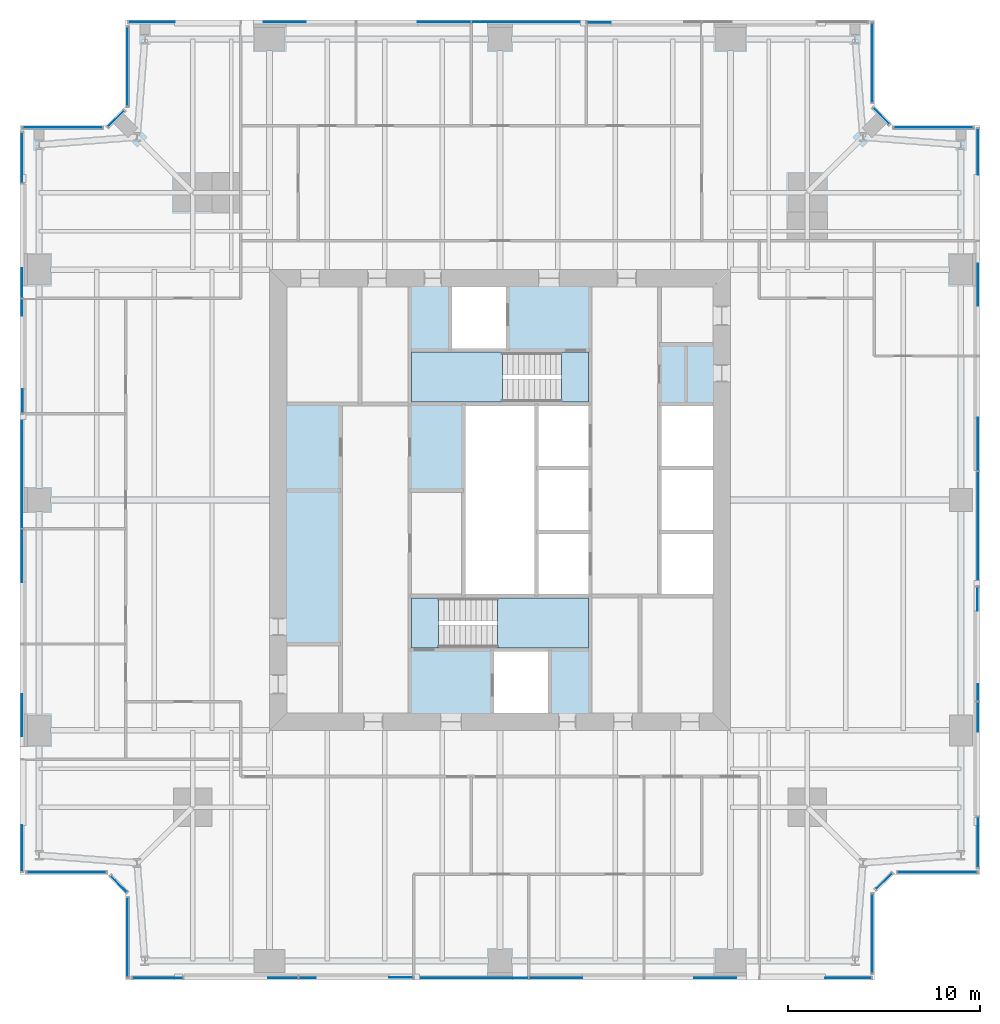
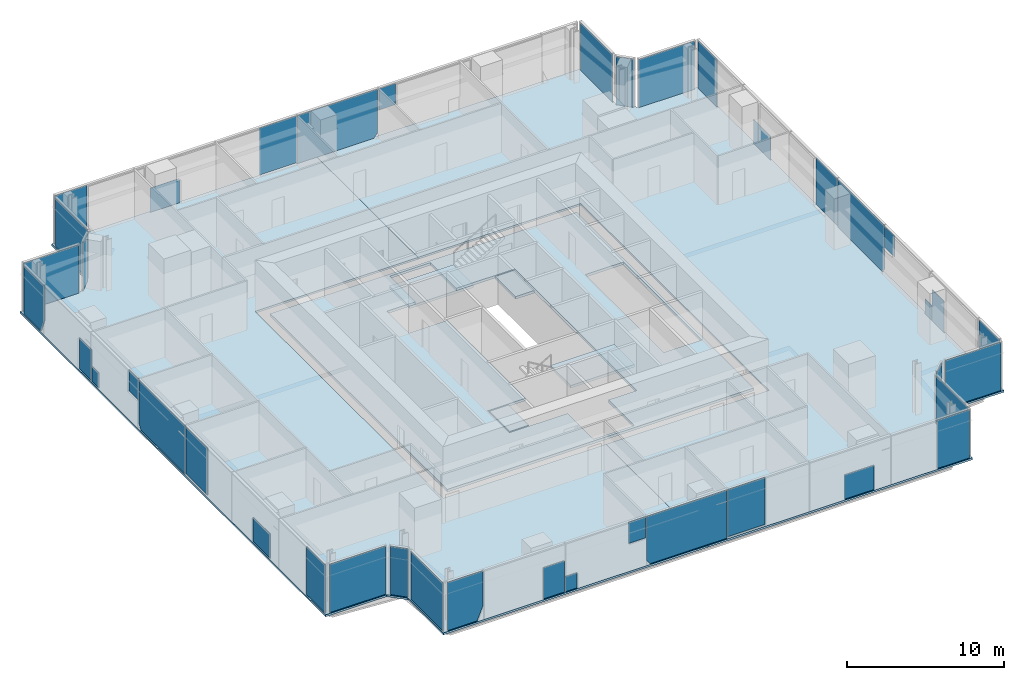
# One storey, part 8 of 14: 41 plates, 7 slabs, 18 elements without a shape of their own.
"""IFC4 building model written with IfcOpenShell, lengths in metres."""

import ifcopenshell
import ifcopenshell.guid

model = None  # the IFC model being written
_history = None  # IfcOwnerHistory: only IFC2X3 demands one
_inside = {}  # id of a spatial element -> (the spatial element, [elements in it])
_under = {}  # id of a project, library or spatial element -> (it, [spatial elements below it])
_declared = {}  # id of a project -> (the project, [libraries it declares])
_typed = {}  # id of a type object -> (the type object, [elements of that type])
_made_of = {}  # id of a material, layer set ... -> (it, [elements and type objects made of it])


def new_model(schema):
    """Start an empty IFC model of exactly this schema.

    Asked for "IFC4X3", IfcOpenShell would pick the latest addendum, in which some entities
    have other attributes; the version numbers below select the first issue.
    IFC2X3 requires an IfcOwnerHistory on every rooted entity: one is made here for all.
    """
    global model, _history
    if schema == "IFC4X3":
        model = ifcopenshell.file(schema_version=(4, 3, 0, 0))
    else:
        model = ifcopenshell.file(schema=schema)
    _inside.clear()
    _under.clear()
    _declared.clear()
    _typed.clear()
    _made_of.clear()
    _history = None
    if model.schema == "IFC2X3":
        org = make("IfcOrganization", Name="unknown")
        user = make(
            "IfcPersonAndOrganization",
            ThePerson=make("IfcPerson", FamilyName="unknown"),
            TheOrganization=org,
        )
        app = make(
            "IfcApplication",
            ApplicationDeveloper=org,
            Version="unknown",
            ApplicationFullName="unknown",
            ApplicationIdentifier="unknown",
        )
        _history = make(
            "IfcOwnerHistory",
            OwningUser=user,
            OwningApplication=app,
            ChangeAction="ADDED",
            CreationDate=0,
        )
    return model


def make(cls, **values):
    """One entity of the class cls with the attributes given. An attribute that is None is left unset."""
    return model.create_entity(
        cls, **{name: value for name, value in values.items() if value is not None}
    )


def rooted(cls, **values):
    """An entity with a GlobalId (a new one), such as an element, a storey or a relation."""
    return make(cls, GlobalId=ifcopenshell.guid.new(), OwnerHistory=_history, **values)


def si_unit(unit_type, name, prefix=None):
    """IfcSIUnit, for example si_unit("LENGTHUNIT", "METRE", prefix="MILLI")."""
    return make("IfcSIUnit", UnitType=unit_type, Prefix=prefix, Name=name)


def assignment(units):
    """IfcUnitAssignment: the units of a project."""
    return None if units is None else make("IfcUnitAssignment", Units=units)


def point(xyz):
    """IfcCartesianPoint."""
    return None if xyz is None else make("IfcCartesianPoint", Coordinates=xyz)


def direction(xyz):
    """IfcDirection."""
    return None if xyz is None else make("IfcDirection", DirectionRatios=xyz)


def frame(location, z_axis=None, x_axis=None):
    """IfcAxis2Placement3D, a coordinate frame: its origin and axes. An axis left out is left unset."""
    return make(
        "IfcAxis2Placement3D",
        Location=point(location),
        Axis=direction(z_axis),
        RefDirection=direction(x_axis),
    )


def frame_2d(location, x_axis=None):
    """IfcAxis2Placement2D, a coordinate frame in the plane: its origin and x axis."""
    return make(
        "IfcAxis2Placement2D", Location=point(location), RefDirection=direction(x_axis)
    )


def origin():
    """The frame at (0, 0, 0) with its axes left unset."""
    return frame((0.0, 0.0, 0.0))


def origin_2d():
    """The frame at (0, 0) in the plane with its x axis left unset."""
    return frame_2d((0.0, 0.0))


def place(relative_to, where):
    """IfcLocalPlacement: puts the frame where relative to a parent placement (None: the world)."""
    return make(
        "IfcLocalPlacement", PlacementRelTo=relative_to, RelativePlacement=where
    )


def context(
    kind, dimensions, precision=None, world=None, true_north=None, identifier=None
):
    """IfcGeometricRepresentationContext, for example the 3D "Model" context."""
    return make(
        "IfcGeometricRepresentationContext",
        ContextIdentifier=identifier,
        ContextType=kind,
        CoordinateSpaceDimension=dimensions,
        Precision=precision,
        WorldCoordinateSystem=world,
        TrueNorth=true_north,
    )


def subcontext(parent, identifier, kind, view, scale=None):
    """IfcGeometricRepresentationSubContext, for example "Body" below "Model"."""
    return make(
        "IfcGeometricRepresentationSubContext",
        ContextIdentifier=identifier,
        ContextType=kind,
        ParentContext=parent,
        TargetScale=scale,
        TargetView=view,
    )


def project(units=None, contexts=None):
    """IfcProject with its units and contexts."""
    return rooted(
        "IfcProject",
        Name="project",
        RepresentationContexts=contexts,
        UnitsInContext=assignment(units),
    )


def spatial(cls, under=None, at=None, **own):
    """A site, building, storey or space (cls), placed at a placement, below another one or the project."""
    s = rooted(cls, ObjectPlacement=at, **own)
    if under is not None:
        _under.setdefault(under.id(), (under, []))[1].append(s)
    return s


def polyline(points):
    """IfcPolyline through the points."""
    return make("IfcPolyline", Points=[point(p) for p in points])


def profile(cls, at=None, kind="AREA", **sizes):
    """A parametric profile (cls). Its sizes go by their IFC names, for example OverallWidth=200.0."""
    return make(cls, ProfileType=kind, Position=at, **sizes)


def rectangle(**sizes):
    """IfcRectangleProfileDef."""
    return profile("IfcRectangleProfileDef", **sizes)


def outline(outer, holes=None, kind="AREA"):
    """IfcArbitraryClosedProfileDef: a profile drawn as a closed curve; with holes, ...WithVoids."""
    if holes is None:
        return make("IfcArbitraryClosedProfileDef", ProfileType=kind, OuterCurve=outer)
    return make(
        "IfcArbitraryProfileDefWithVoids",
        ProfileType=kind,
        OuterCurve=outer,
        InnerCurves=holes,
    )


def extrude(swept, where, along, depth):
    """IfcExtrudedAreaSolid: the profile swept, set in the frame where, extruded along a direction by depth."""
    return make(
        "IfcExtrudedAreaSolid",
        SweptArea=swept,
        Position=where,
        ExtrudedDirection=direction(along),
        Depth=depth,
    )


def shape(context_of_items, identifier, shape_type, items):
    """IfcShapeRepresentation: the items that make up one representation, for example the "Body"."""
    return make(
        "IfcShapeRepresentation",
        ContextOfItems=context_of_items,
        RepresentationIdentifier=identifier,
        RepresentationType=shape_type,
        Items=items,
    )


def material(Name=None, Category=None):
    """IfcMaterial."""
    return make("IfcMaterial", Name=Name, Category=Category)


def layer(
    of_material, thickness, ventilated=None, Name=None, Category=None, Priority=None
):
    """IfcMaterialLayer: one layer of a wall or slab, of a material (None: an air gap)."""
    return make(
        "IfcMaterialLayer",
        Material=of_material,
        LayerThickness=thickness,
        IsVentilated=ventilated,
        Name=Name,
        Category=Category,
        Priority=Priority,
    )


def layer_set(layers, Name=None):
    """IfcMaterialLayerSet."""
    return make("IfcMaterialLayerSet", MaterialLayers=layers, LayerSetName=Name)


def made_of(thing, what):
    """Note that an element or type object is made of a material, layer set ...; save() writes the relation."""
    if what is not None:
        _made_of.setdefault(what.id(), (what, []))[1].append(thing)
    return thing


def type_object(cls, material=None, **own):
    """A type object (cls), such as IfcWallType, which elements share."""
    return made_of(rooted(cls, **own), material)


def element(
    cls,
    number,
    at=None,
    inside=None,
    cuts=None,
    type_object=None,
    material=None,
    context=None,
    identifier="Body",
    shape_type=None,
    held_by="IfcProductDefinitionShape",
    body=None,
    shapes=None,
    **own,
):
    """One element of the class cls, such as IfcWall. Its Tag is "e" and its number.

    at: its placement. inside: the storey or other place that contains it. cuts: it is an
    opening in that element (IfcRelVoidsElement). A single representation is given by context,
    identifier, shape_type and body (its items); several are given by shapes. held_by: the class
    of the entity that holds the representations. save() writes the other relations.
    """
    e = rooted(cls, Tag="e%d" % number, ObjectPlacement=at, **own)
    if body is not None:
        shapes = [shape(context, identifier, shape_type, body)]
    if shapes is not None:
        e.Representation = make(held_by, Representations=shapes)
    if inside is not None:
        _inside.setdefault(inside.id(), (inside, []))[1].append(e)
    if cuts is not None:
        rooted(
            "IfcRelVoidsElement", RelatingBuildingElement=cuts, RelatedOpeningElement=e
        )
    if type_object is not None:
        _typed.setdefault(type_object.id(), (type_object, []))[1].append(e)
    return made_of(e, material)


def aggregate(whole, parts):
    """IfcRelAggregates: a whole, such as a stair, and the parts it consists of."""
    return rooted("IfcRelAggregates", RelatingObject=whole, RelatedObjects=parts)


def save(model, path):
    """Write the relations noted so far, then the file.

    IfcRelAggregates (storeys below a building ...), IfcRelContainedInSpatialStructure (elements
    in a storey), IfcRelDefinesByType, IfcRelAssociatesMaterial and IfcRelDeclares: one each for
    every whole, place, type object, material and project.
    """
    for whole, parts in _under.values():
        aggregate(whole, parts)
    for where, things in _inside.values():
        rooted(
            "IfcRelContainedInSpatialStructure",
            RelatedElements=things,
            RelatingStructure=where,
        )
    for kind, things in _typed.values():
        rooted("IfcRelDefinesByType", RelatedObjects=things, RelatingType=kind)
    for what, things in _made_of.values():
        rooted("IfcRelAssociatesMaterial", RelatedObjects=things, RelatingMaterial=what)
    for by, libraries in _declared.values():
        rooted("IfcRelDeclares", RelatingContext=by, RelatedDefinitions=libraries)
    model.write(path)


model = new_model("IFC4")

# Units and contexts
model_context = context("Model", 3, precision=1e-05, world=origin(), true_north=direction((0.0, 1.0)))
body_context = subcontext(model_context, "Body", "Model", "MODEL_VIEW")
ifc_project = project(units=[si_unit("LENGTHUNIT", "METRE"), si_unit("AREAUNIT", "SQUARE_METRE"), si_unit("VOLUMEUNIT", "CUBIC_METRE"), si_unit("PLANEANGLEUNIT", "RADIAN"), si_unit("MASSUNIT", "GRAM", prefix="KILO")], contexts=[model_context])

# Site, building, storey
site_placement = place(None, origin())
site = spatial("IfcSite", under=ifc_project, at=site_placement, CompositionType="ELEMENT")
building_placement = place(site_placement, origin())
building = spatial("IfcBuilding", under=site, at=building_placement, Name="Fenwick Lantern Interchange", CompositionType="ELEMENT")
storey_placement = place(building_placement, frame((0.0, 0.0, 193.800048828125)))
storey = spatial("IfcBuildingStorey", under=building, at=storey_placement, Name="L45", CompositionType="ELEMENT", Elevation=193.800048828125)

# Slabs
ifc_material_1 = material(Name="Concrete f'c 35 MPa", Category="concrete")
ifc_layer_1 = layer(ifc_material_1, 0.199951171875)
ifc_layer_set_1 = layer_set([ifc_layer_1], Name="CORE FLOOR SLAB 200")
slab_type_1 = type_object("IfcSlabType", Name="CORE FLOOR SLAB 200", PredefinedType="FLOOR", material=ifc_layer_set_1)
slab_1_placement = place(storey_placement, frame((0.0, 0.0, -0.199951171875)))
element("IfcSlab", 1, at=slab_1_placement, inside=storey, type_object=slab_type_1, Name="L45/SLAB/CORE", PredefinedType="FLOOR", context=body_context, shape_type="SweptSolid", body=[
    extrude(outline(polyline([(13.699951171875, 36.300048828125), (36.300048828125, 36.300048828125), (36.300048828125, 13.699951171875), (13.699951171875, 13.699951171875), (13.699951171875, 36.300048828125)]), holes=[polyline([(24.60009765625, 13.89990234375), (27.60009765625, 13.89990234375), (27.60009765625, 17.199951171875), (29.699951171875, 17.199951171875), (29.699951171875, 20.0), (29.699951171875, 23.333251953125), (29.699951171875, 26.666748046875), (29.699951171875, 30.0), (29.699951171875, 32.800048828125), (25.39990234375, 32.800048828125), (25.39990234375, 36.10009765625), (22.39990234375, 36.10009765625), (22.39990234375, 32.800048828125), (20.300048828125, 32.800048828125), (20.300048828125, 30.0), (23.10009765625, 30.0), (23.10009765625, 20.0), (20.300048828125, 20.0), (20.300048828125, 17.199951171875), (24.60009765625, 17.199951171875), (24.60009765625, 13.89990234375)]), polyline([(33.300048828125, 23.333251953125), (33.300048828125, 20.0), (36.10009765625, 20.0), (36.10009765625, 23.333251953125), (36.10009765625, 26.666748046875), (36.10009765625, 30.0), (33.300048828125, 30.0), (33.300048828125, 26.666748046875), (33.300048828125, 23.333251953125)])]), origin(), (0.0, 0.0, 1.0), 0.199951171875),
])
ifc_material_2 = material(Name="Concrete f'c 35 MPa", Category="concrete")
ifc_layer_2 = layer(ifc_material_2, 0.14990234375)
ifc_layer_set_2 = layer_set([ifc_layer_2], Name="Concrete f'c 35 MPa")
slab_type_2 = type_object("IfcSlabType", Name="FLOOR SLAB 150", PredefinedType="FLOOR", material=ifc_layer_set_2)
slab_2_placement = place(storey_placement, frame((0.0, 0.0, -0.150146484375)))
element("IfcSlab", 2, at=slab_2_placement, inside=storey, type_object=slab_type_2, Name="L45/SLAB/FW", PredefinedType="FLOOR", context=body_context, shape_type="SweptSolid", body=[
    extrude(outline(polyline([(5.5, 0.0), (5.5, 4.5), (4.5, 5.5), (0.0, 5.5), (0.0, 44.5), (4.5, 44.5), (5.5, 45.5), (5.5, 50.0), (25.0, 50.0), (25.0, 37.0), (13.0, 37.0), (13.0, 13.0), (25.0, 13.0), (25.0, 0.0), (5.5, 0.0)])), origin(), (0.0, 0.0, 1.0), 0.150146484375),
])
slab_3_placement = place(storey_placement, frame((0.0, 0.0, -0.150146484375)))
element("IfcSlab", 3, at=slab_3_placement, inside=storey, type_object=slab_type_2, Name="L45/SLAB/FE", PredefinedType="FLOOR", context=body_context, shape_type="SweptSolid", body=[
    extrude(outline(polyline([(44.5, 50.0), (44.5, 45.5), (45.5, 44.5), (50.0, 44.5), (50.0, 5.5), (45.5, 5.5), (44.5, 4.5), (44.5, 0.0), (25.0, 0.0), (25.0, 13.0), (37.0, 13.0), (37.0, 37.0), (25.0, 37.0), (25.0, 50.0), (44.5, 50.0)])), origin(), (0.0, 0.0, 1.0), 0.150146484375),
])

# Curtain wall, plates
ifc_material_3 = material(Name="Aluminium curtain wall frame", Category="aluminium")
curtain_wall_type = type_object("IfcCurtainWallType", Name="OFFICE CURTAIN WALL", PredefinedType="USERDEFINED", material=ifc_material_3)
curtain_wall_1_placement = place(storey_placement, origin())
curtain_wall_1 = element("IfcCurtainWall", 4, at=curtain_wall_1_placement, inside=storey, type_object=curtain_wall_type, Name="Office curtain wall 01", ObjectType="OFFICE CURTAIN WALL", PredefinedType="USERDEFINED")
ifc_material_4 = material(Name="Vision glass, clear low-iron double glazed", Category="glass")
ifc_layer_3 = layer(ifc_material_4, 0.031982421875)
ifc_layer_set_3 = layer_set([ifc_layer_3], Name="OFFICE CURTAIN WALL PANEL 32")
plate_type = type_object("IfcPlateType", Name="OFFICE CURTAIN WALL PANEL 32", PredefinedType="CURTAIN_PANEL", material=ifc_layer_set_3)
plate_1_placement = place(storey_placement, frame((5.60009765625, 0.10009765625, 0.0), z_axis=(0.0, 0.0, 1.0), x_axis=(1.0, 0.0, 0.0)))
plate_1 = element("IfcPlate", 5, at=plate_1_placement, type_object=plate_type, Name="L45/CW/01/P00a", PredefinedType="CURTAIN_PANEL", context=body_context, shape_type="SweptSolid", body=[
    extrude(outline(polyline([(0.264892578125, 0.0), (2.453369140625, 0.0), (2.867431640625, 1.01953125), (2.867431640625, 3.75), (0.264892578125, 3.75), (0.264892578125, 0.0)])), frame((0.0, 0.01611328125, 0.0), z_axis=(0.0, -1.0, 0.0), x_axis=(1.0, 0.0, 0.0)), (0.0, 0.0, 1.0), 0.031982421875),
])
plate_2_placement = place(storey_placement, frame((5.60009765625, 0.10009765625, 0.0), z_axis=(0.0, 0.0, 1.0), x_axis=(1.0, 0.0, 0.0)))
plate_2 = element("IfcPlate", 6, at=plate_2_placement, type_object=plate_type, Name="L45/CW/01/P01a", PredefinedType="CURTAIN_PANEL", context=body_context, shape_type="SweptSolid", body=[
    extrude(outline(polyline([(7.3291015625, 0.0), (8.867431640625, 0.0), (8.867431640625, 2.436767578125), (7.3291015625, 2.436767578125), (7.3291015625, 0.0)])), frame((0.0, 0.01611328125, 0.0), z_axis=(0.0, -1.0, 0.0), x_axis=(1.0, 0.0, 0.0)), (0.0, 0.0, 1.0), 0.031982421875),
])
plate_3_placement = place(storey_placement, frame((5.60009765625, 0.10009765625, 0.0), z_axis=(0.0, 0.0, 1.0), x_axis=(1.0, 0.0, 0.0)))
plate_3 = element("IfcPlate", 7, at=plate_3_placement, type_object=plate_type, Name="L45/CW/01/P02a", PredefinedType="CURTAIN_PANEL", context=body_context, shape_type="SweptSolid", body=[
    extrude(outline(polyline([(8.9326171875, 0.0), (9.8125, 0.0), (9.8125, 1.17724609375), (8.9326171875, 1.17724609375), (8.9326171875, 0.0)])), frame((0.0, 0.01611328125, 0.0), z_axis=(0.0, -1.0, 0.0), x_axis=(1.0, 0.0, 0.0)), (0.0, 0.0, 1.0), 0.031982421875),
])
plate_4_placement = place(storey_placement, frame((5.60009765625, 0.10009765625, 2.0966796875), z_axis=(0.0, 0.0, 1.0), x_axis=(1.0, 0.0, 0.0)))
plate_4 = element("IfcPlate", 8, at=plate_4_placement, type_object=plate_type, Name="L45/CW/01/P02b", PredefinedType="CURTAIN_PANEL", context=body_context, shape_type="SweptSolid", body=[
    extrude(outline(polyline([(13.623046875, 0.0), (14.867431640625, 0.0), (14.867431640625, 1.6533203125), (13.623046875, 1.6533203125), (13.623046875, 0.0)])), frame((0.0, 0.0498046875, 0.0), z_axis=(0.0, -1.0, 0.0), x_axis=(1.0, 0.0, 0.0)), (0.0, 0.0, 1.0), 0.031982421875),
])
plate_5_placement = place(storey_placement, frame((5.60009765625, 0.10009765625, 0.0), z_axis=(0.0, 0.0, 1.0), x_axis=(1.0, 0.0, 0.0)))
plate_5 = element("IfcPlate", 9, at=plate_5_placement, type_object=plate_type, Name="L45/CW/01/P03a", PredefinedType="CURTAIN_PANEL", context=body_context, shape_type="SweptSolid", body=[
    extrude(outline(polyline([(15.195556640625, 0.0), (20.867431640625, 0.0), (20.867431640625, 3.75), (14.9326171875, 3.75), (14.9326171875, 0.3505859375), (15.195556640625, 0.0)])), frame((0.0, 0.01611328125, 0.0), z_axis=(0.0, -1.0, 0.0), x_axis=(1.0, 0.0, 0.0)), (0.0, 0.0, 1.0), 0.031982421875),
])
plate_6_placement = place(storey_placement, frame((5.60009765625, 0.10009765625, 0.090576171875), z_axis=(0.0, 0.0, 1.0), x_axis=(1.0, 0.0, 0.0)))
plate_6 = element("IfcPlate", 10, at=plate_6_placement, type_object=plate_type, Name="L45/CW/01/P04a", PredefinedType="CURTAIN_PANEL", context=body_context, shape_type="SweptSolid", body=[
    extrude(outline(polyline([(20.9326171875, 0.0), (23.672607421875, 0.0), (23.672607421875, 3.659423828125), (20.9326171875, 3.659423828125), (20.9326171875, 0.0)])), frame((0.0, 0.01611328125, 0.0), z_axis=(0.0, -1.0, 0.0), x_axis=(1.0, 0.0, 0.0)), (0.0, 0.0, 1.0), 0.031982421875),
])
plate_7_placement = place(storey_placement, frame((5.60009765625, 0.10009765625, 0.0), z_axis=(0.0, 0.0, 1.0), x_axis=(1.0, 0.0, 0.0)))
plate_7 = element("IfcPlate", 11, at=plate_7_placement, type_object=plate_type, Name="L45/CW/01/P05a", PredefinedType="CURTAIN_PANEL", context=body_context, shape_type="SweptSolid", body=[
    extrude(outline(polyline([(29.51953125, 0.0), (31.694580078125, 0.0), (31.694580078125, 1.886474609375), (29.51953125, 1.886474609375), (29.51953125, 0.0)])), frame((0.0, 0.01611328125, 0.0), z_axis=(0.0, -1.0, 0.0), x_axis=(1.0, 0.0, 0.0)), (0.0, 0.0, 1.0), 0.031982421875),
])
plate_8_placement = place(storey_placement, frame((5.60009765625, 0.10009765625, 0.0), z_axis=(0.0, 0.0, 1.0), x_axis=(1.0, 0.0, 0.0)))
plate_8 = element("IfcPlate", 12, at=plate_8_placement, type_object=plate_type, Name="L45/CW/01/P06a", PredefinedType="CURTAIN_PANEL", context=body_context, shape_type="SweptSolid", body=[
    extrude(outline(polyline([(36.34814453125, 0.0), (38.735107421875, 0.0), (38.735107421875, 3.75), (36.34814453125, 3.75), (36.34814453125, 0.0)])), frame((0.0, 0.01611328125, 0.0), z_axis=(0.0, -1.0, 0.0), x_axis=(1.0, 0.0, 0.0)), (0.0, 0.0, 1.0), 0.031982421875),
])
aggregate(curtain_wall_1, [plate_1, plate_2, plate_3, plate_4, plate_5, plate_6, plate_7, plate_8])

# Curtain wall, plate
curtain_wall_2_placement = place(storey_placement, origin())
curtain_wall_2 = element("IfcCurtainWall", 13, at=curtain_wall_2_placement, inside=storey, type_object=curtain_wall_type, Name="Office curtain wall 02", ObjectType="OFFICE CURTAIN WALL", PredefinedType="USERDEFINED")
plate_9_placement = place(storey_placement, frame((44.39990234375, 2.420654296875, 0.0), z_axis=(0.0, 0.0, 1.0), x_axis=(0.0, 1.0, 0.0)))
plate_9 = element("IfcPlate", 14, at=plate_9_placement, type_object=plate_type, Name="L45/CW/02/P00", PredefinedType="CURTAIN_PANEL", context=body_context, shape_type="SweptSolid", body=[
    extrude(rectangle(XDim=4.111328125, YDim=0.031982421875, at=origin_2d()), origin(), (0.0, 0.0, 1.0), 3.75),
])
aggregate(curtain_wall_2, [plate_9])

curtain_wall_3_placement = place(storey_placement, origin())
curtain_wall_3 = element("IfcCurtainWall", 15, at=curtain_wall_3_placement, inside=storey, type_object=curtain_wall_type, Name="Office curtain wall 03", ObjectType="OFFICE CURTAIN WALL", PredefinedType="USERDEFINED")
plate_10_placement = place(storey_placement, frame((45.0, 5.141357421875, 0.0), z_axis=(0.0, 0.0, 1.0), x_axis=(0.707106781187, 0.707106781187, 0.0)))
plate_10 = element("IfcPlate", 16, at=plate_10_placement, type_object=plate_type, Name="L45/CW/03/P00", PredefinedType="CURTAIN_PANEL", context=body_context, shape_type="SweptSolid", body=[
    extrude(rectangle(XDim=1.1669921875, YDim=0.031982421875, at=origin_2d()), origin(), (0.0, 0.0, 1.0), 3.75),
])
aggregate(curtain_wall_3, [plate_10])

curtain_wall_4_placement = place(storey_placement, origin())
curtain_wall_4 = element("IfcCurtainWall", 17, at=curtain_wall_4_placement, inside=storey, type_object=curtain_wall_type, Name="Office curtain wall 04", ObjectType="OFFICE CURTAIN WALL", PredefinedType="USERDEFINED")
plate_11_placement = place(storey_placement, frame((47.779296875, 5.60009765625, 0.0), z_axis=(0.0, 0.0, 1.0), x_axis=(1.0, 0.0, 0.0)))
plate_11 = element("IfcPlate", 18, at=plate_11_placement, type_object=plate_type, Name="L45/CW/04/P00", PredefinedType="CURTAIN_PANEL", context=body_context, shape_type="SweptSolid", body=[
    extrude(rectangle(XDim=4.111328125, YDim=0.031982421875, at=origin_2d()), origin(), (0.0, 0.0, 1.0), 3.75),
])
aggregate(curtain_wall_4, [plate_11])

# Curtain wall, plates
curtain_wall_5_placement = place(storey_placement, origin())
curtain_wall_5 = element("IfcCurtainWall", 19, at=curtain_wall_5_placement, inside=storey, type_object=curtain_wall_type, Name="Office curtain wall 05", ObjectType="OFFICE CURTAIN WALL", PredefinedType="USERDEFINED")
plate_12_placement = place(storey_placement, frame((49.89990234375, 5.60009765625, 0.0), z_axis=(0.0, 0.0, 1.0), x_axis=(0.0, 1.0, 0.0)))
plate_12 = element("IfcPlate", 20, at=plate_12_placement, type_object=plate_type, Name="L45/CW/05/P00a", PredefinedType="CURTAIN_PANEL", context=body_context, shape_type="SweptSolid", body=[
    extrude(outline(polyline([(0.264892578125, 0.0), (2.453369140625, 0.0), (2.867431640625, 1.01953125), (2.867431640625, 3.75), (0.264892578125, 3.75), (0.264892578125, 0.0)])), frame((0.0, 0.01611328125, 0.0), z_axis=(0.0, -1.0, 0.0), x_axis=(1.0, 0.0, 0.0)), (0.0, 0.0, 1.0), 0.031982421875),
])
plate_13_placement = place(storey_placement, frame((49.89990234375, 5.60009765625, 0.0), z_axis=(0.0, 0.0, 1.0), x_axis=(0.0, 1.0, 0.0)))
plate_13 = element("IfcPlate", 21, at=plate_13_placement, type_object=plate_type, Name="L45/CW/05/P01a", PredefinedType="CURTAIN_PANEL", context=body_context, shape_type="SweptSolid", body=[
    extrude(outline(polyline([(7.3291015625, 0.0), (8.867431640625, 0.0), (8.867431640625, 2.436767578125), (7.3291015625, 2.436767578125), (7.3291015625, 0.0)])), frame((0.0, 0.01611328125, 0.0), z_axis=(0.0, -1.0, 0.0), x_axis=(1.0, 0.0, 0.0)), (0.0, 0.0, 1.0), 0.031982421875),
])
plate_14_placement = place(storey_placement, frame((49.89990234375, 5.60009765625, 0.0), z_axis=(0.0, 0.0, 1.0), x_axis=(0.0, 1.0, 0.0)))
plate_14 = element("IfcPlate", 22, at=plate_14_placement, type_object=plate_type, Name="L45/CW/05/P02a", PredefinedType="CURTAIN_PANEL", context=body_context, shape_type="SweptSolid", body=[
    extrude(outline(polyline([(8.9326171875, 0.0), (9.8125, 0.0), (9.8125, 1.17724609375), (8.9326171875, 1.17724609375), (8.9326171875, 0.0)])), frame((0.0, 0.01611328125, 0.0), z_axis=(0.0, -1.0, 0.0), x_axis=(1.0, 0.0, 0.0)), (0.0, 0.0, 1.0), 0.031982421875),
])
plate_15_placement = place(storey_placement, frame((49.89990234375, 5.60009765625, 2.0966796875), z_axis=(0.0, 0.0, 1.0), x_axis=(0.0, 1.0, 0.0)))
plate_15 = element("IfcPlate", 23, at=plate_15_placement, type_object=plate_type, Name="L45/CW/05/P02b", PredefinedType="CURTAIN_PANEL", context=body_context, shape_type="SweptSolid", body=[
    extrude(outline(polyline([(13.623046875, 0.0), (14.867431640625, 0.0), (14.867431640625, 1.6533203125), (13.623046875, 1.6533203125), (13.623046875, 0.0)])), frame((0.0, 0.0498046875, 0.0), z_axis=(0.0, -1.0, 0.0), x_axis=(1.0, 0.0, 0.0)), (0.0, 0.0, 1.0), 0.031982421875),
])
plate_16_placement = place(storey_placement, frame((49.89990234375, 5.60009765625, 0.0), z_axis=(0.0, 0.0, 1.0), x_axis=(0.0, 1.0, 0.0)))
plate_16 = element("IfcPlate", 24, at=plate_16_placement, type_object=plate_type, Name="L45/CW/05/P03a", PredefinedType="CURTAIN_PANEL", context=body_context, shape_type="SweptSolid", body=[
    extrude(outline(polyline([(15.195556640625, 0.0), (20.867431640625, 0.0), (20.867431640625, 3.75), (14.9326171875, 3.75), (14.9326171875, 0.3505859375), (15.195556640625, 0.0)])), frame((0.0, 0.01611328125, 0.0), z_axis=(0.0, -1.0, 0.0), x_axis=(1.0, 0.0, 0.0)), (0.0, 0.0, 1.0), 0.031982421875),
])
plate_17_placement = place(storey_placement, frame((49.89990234375, 5.60009765625, 0.090576171875), z_axis=(0.0, 0.0, 1.0), x_axis=(0.0, 1.0, 0.0)))
plate_17 = element("IfcPlate", 25, at=plate_17_placement, type_object=plate_type, Name="L45/CW/05/P04a", PredefinedType="CURTAIN_PANEL", context=body_context, shape_type="SweptSolid", body=[
    extrude(outline(polyline([(20.9326171875, 0.0), (23.672607421875, 0.0), (23.672607421875, 3.659423828125), (20.9326171875, 3.659423828125), (20.9326171875, 0.0)])), frame((0.0, 0.01611328125, 0.0), z_axis=(0.0, -1.0, 0.0), x_axis=(1.0, 0.0, 0.0)), (0.0, 0.0, 1.0), 0.031982421875),
])
plate_18_placement = place(storey_placement, frame((49.89990234375, 5.60009765625, 0.0), z_axis=(0.0, 0.0, 1.0), x_axis=(0.0, 1.0, 0.0)))
plate_18 = element("IfcPlate", 26, at=plate_18_placement, type_object=plate_type, Name="L45/CW/05/P05a", PredefinedType="CURTAIN_PANEL", context=body_context, shape_type="SweptSolid", body=[
    extrude(outline(polyline([(29.51953125, 0.0), (31.694580078125, 0.0), (31.694580078125, 1.886474609375), (29.51953125, 1.886474609375), (29.51953125, 0.0)])), frame((0.0, 0.01611328125, 0.0), z_axis=(0.0, -1.0, 0.0), x_axis=(1.0, 0.0, 0.0)), (0.0, 0.0, 1.0), 0.031982421875),
])
plate_19_placement = place(storey_placement, frame((49.89990234375, 5.60009765625, 0.0), z_axis=(0.0, 0.0, 1.0), x_axis=(0.0, 1.0, 0.0)))
plate_19 = element("IfcPlate", 27, at=plate_19_placement, type_object=plate_type, Name="L45/CW/05/P06a", PredefinedType="CURTAIN_PANEL", context=body_context, shape_type="SweptSolid", body=[
    extrude(outline(polyline([(36.34814453125, 0.0), (38.735107421875, 0.0), (38.735107421875, 3.75), (36.34814453125, 3.75), (36.34814453125, 0.0)])), frame((0.0, 0.01611328125, 0.0), z_axis=(0.0, -1.0, 0.0), x_axis=(1.0, 0.0, 0.0)), (0.0, 0.0, 1.0), 0.031982421875),
])
aggregate(curtain_wall_5, [plate_12, plate_13, plate_14, plate_15, plate_16, plate_17, plate_18, plate_19])

# Curtain wall, plate
curtain_wall_6_placement = place(storey_placement, origin())
curtain_wall_6 = element("IfcCurtainWall", 28, at=curtain_wall_6_placement, inside=storey, type_object=curtain_wall_type, Name="Office curtain wall 06", ObjectType="OFFICE CURTAIN WALL", PredefinedType="USERDEFINED")
plate_20_placement = place(storey_placement, frame((47.579345703125, 44.39990234375, 0.0), z_axis=(0.0, 0.0, 1.0), x_axis=(-1.0, 0.0, 0.0)))
plate_20 = element("IfcPlate", 29, at=plate_20_placement, type_object=plate_type, Name="L45/CW/06/P00", PredefinedType="CURTAIN_PANEL", context=body_context, shape_type="SweptSolid", body=[
    extrude(rectangle(XDim=4.111328125, YDim=0.031982421875, at=origin_2d()), origin(), (0.0, 0.0, 1.0), 3.75),
])
aggregate(curtain_wall_6, [plate_20])

curtain_wall_7_placement = place(storey_placement, origin())
curtain_wall_7 = element("IfcCurtainWall", 30, at=curtain_wall_7_placement, inside=storey, type_object=curtain_wall_type, Name="Office curtain wall 07", ObjectType="OFFICE CURTAIN WALL", PredefinedType="USERDEFINED")
plate_21_placement = place(storey_placement, frame((44.858642578125, 45.0, 0.0), z_axis=(0.0, 0.0, 1.0), x_axis=(-0.707106781187, 0.707106781187, 0.0)))
plate_21 = element("IfcPlate", 31, at=plate_21_placement, type_object=plate_type, Name="L45/CW/07/P00", PredefinedType="CURTAIN_PANEL", context=body_context, shape_type="SweptSolid", body=[
    extrude(rectangle(XDim=1.1669921875, YDim=0.031982421875, at=origin_2d()), origin(), (0.0, 0.0, 1.0), 3.75),
])
aggregate(curtain_wall_7, [plate_21])

curtain_wall_8_placement = place(storey_placement, origin())
curtain_wall_8 = element("IfcCurtainWall", 32, at=curtain_wall_8_placement, inside=storey, type_object=curtain_wall_type, Name="Office curtain wall 08", ObjectType="OFFICE CURTAIN WALL", PredefinedType="USERDEFINED")
plate_22_placement = place(storey_placement, frame((44.39990234375, 47.779296875, 0.0), z_axis=(0.0, 0.0, 1.0), x_axis=(0.0, 1.0, 0.0)))
plate_22 = element("IfcPlate", 33, at=plate_22_placement, type_object=plate_type, Name="L45/CW/08/P00", PredefinedType="CURTAIN_PANEL", context=body_context, shape_type="SweptSolid", body=[
    extrude(rectangle(XDim=4.111328125, YDim=0.031982421875, at=origin_2d()), origin(), (0.0, 0.0, 1.0), 3.75),
])
aggregate(curtain_wall_8, [plate_22])

# Curtain wall, plates
curtain_wall_9_placement = place(storey_placement, origin())
curtain_wall_9 = element("IfcCurtainWall", 34, at=curtain_wall_9_placement, inside=storey, type_object=curtain_wall_type, Name="Office curtain wall 09", ObjectType="OFFICE CURTAIN WALL", PredefinedType="USERDEFINED")
plate_23_placement = place(storey_placement, frame((44.39990234375, 49.89990234375, 2.0966796875), z_axis=(0.0, 0.0, 1.0), x_axis=(-1.0, 0.0, 0.0)))
plate_23 = element("IfcPlate", 35, at=plate_23_placement, type_object=plate_type, Name="L45/CW/09/P02b", PredefinedType="CURTAIN_PANEL", context=body_context, shape_type="SweptSolid", body=[
    extrude(outline(polyline([(13.623046875, 0.0), (14.867431640625, 0.0), (14.867431640625, 1.6533203125), (13.623046875, 1.6533203125), (13.623046875, 0.0)])), frame((0.0, 0.0498046875, 0.0), z_axis=(0.0, -1.0, 0.0), x_axis=(1.0, 0.0, 0.0)), (0.0, 0.0, 1.0), 0.031982421875),
])
plate_24_placement = place(storey_placement, frame((44.39990234375, 49.89990234375, 0.0), z_axis=(0.0, 0.0, 1.0), x_axis=(-1.0, 0.0, 0.0)))
plate_24 = element("IfcPlate", 36, at=plate_24_placement, type_object=plate_type, Name="L45/CW/09/P03a", PredefinedType="CURTAIN_PANEL", context=body_context, shape_type="SweptSolid", body=[
    extrude(outline(polyline([(15.195556640625, 0.0), (20.867431640625, 0.0), (20.867431640625, 3.75), (14.9326171875, 3.75), (14.9326171875, 0.3505859375), (15.195556640625, 0.0)])), frame((0.0, 0.01611328125, 0.0), z_axis=(0.0, -1.0, 0.0), x_axis=(1.0, 0.0, 0.0)), (0.0, 0.0, 1.0), 0.031982421875),
])
plate_25_placement = place(storey_placement, frame((44.39990234375, 49.89990234375, 0.090576171875), z_axis=(0.0, 0.0, 1.0), x_axis=(-1.0, 0.0, 0.0)))
plate_25 = element("IfcPlate", 37, at=plate_25_placement, type_object=plate_type, Name="L45/CW/09/P04a", PredefinedType="CURTAIN_PANEL", context=body_context, shape_type="SweptSolid", body=[
    extrude(outline(polyline([(20.9326171875, 0.0), (23.672607421875, 0.0), (23.672607421875, 3.659423828125), (20.9326171875, 3.659423828125), (20.9326171875, 0.0)])), frame((0.0, 0.01611328125, 0.0), z_axis=(0.0, -1.0, 0.0), x_axis=(1.0, 0.0, 0.0)), (0.0, 0.0, 1.0), 0.031982421875),
])
plate_26_placement = place(storey_placement, frame((44.39990234375, 49.89990234375, 0.0), z_axis=(0.0, 0.0, 1.0), x_axis=(-1.0, 0.0, 0.0)))
plate_26 = element("IfcPlate", 38, at=plate_26_placement, type_object=plate_type, Name="L45/CW/09/P05a", PredefinedType="CURTAIN_PANEL", context=body_context, shape_type="SweptSolid", body=[
    extrude(outline(polyline([(29.51953125, 0.0), (31.694580078125, 0.0), (31.694580078125, 1.886474609375), (29.51953125, 1.886474609375), (29.51953125, 0.0)])), frame((0.0, 0.01611328125, 0.0), z_axis=(0.0, -1.0, 0.0), x_axis=(1.0, 0.0, 0.0)), (0.0, 0.0, 1.0), 0.031982421875),
])
plate_27_placement = place(storey_placement, frame((44.39990234375, 49.89990234375, 0.0), z_axis=(0.0, 0.0, 1.0), x_axis=(-1.0, 0.0, 0.0)))
plate_27 = element("IfcPlate", 39, at=plate_27_placement, type_object=plate_type, Name="L45/CW/09/P06a", PredefinedType="CURTAIN_PANEL", context=body_context, shape_type="SweptSolid", body=[
    extrude(outline(polyline([(36.34814453125, 0.0), (38.735107421875, 0.0), (38.735107421875, 3.75), (36.34814453125, 3.75), (36.34814453125, 0.0)])), frame((0.0, 0.01611328125, 0.0), z_axis=(0.0, -1.0, 0.0), x_axis=(1.0, 0.0, 0.0)), (0.0, 0.0, 1.0), 0.031982421875),
])
aggregate(curtain_wall_9, [plate_23, plate_24, plate_25, plate_26, plate_27])

# Curtain wall, plate
curtain_wall_10_placement = place(storey_placement, origin())
curtain_wall_10 = element("IfcCurtainWall", 40, at=curtain_wall_10_placement, inside=storey, type_object=curtain_wall_type, Name="Office curtain wall 10", ObjectType="OFFICE CURTAIN WALL", PredefinedType="USERDEFINED")
plate_28_placement = place(storey_placement, frame((5.60009765625, 47.579345703125, 0.0), z_axis=(0.0, 0.0, 1.0), x_axis=(0.0, -1.0, 0.0)))
plate_28 = element("IfcPlate", 41, at=plate_28_placement, type_object=plate_type, Name="L45/CW/10/P00", PredefinedType="CURTAIN_PANEL", context=body_context, shape_type="SweptSolid", body=[
    extrude(rectangle(XDim=4.111328125, YDim=0.031982421875, at=origin_2d()), origin(), (0.0, 0.0, 1.0), 3.75),
])
aggregate(curtain_wall_10, [plate_28])

curtain_wall_11_placement = place(storey_placement, origin())
curtain_wall_11 = element("IfcCurtainWall", 42, at=curtain_wall_11_placement, inside=storey, type_object=curtain_wall_type, Name="Office curtain wall 11", ObjectType="OFFICE CURTAIN WALL", PredefinedType="USERDEFINED")
plate_29_placement = place(storey_placement, frame((5.0, 44.858642578125, 0.0), z_axis=(0.0, 0.0, 1.0), x_axis=(-0.707106781187, -0.707106781187, 0.0)))
plate_29 = element("IfcPlate", 43, at=plate_29_placement, type_object=plate_type, Name="L45/CW/11/P00", PredefinedType="CURTAIN_PANEL", context=body_context, shape_type="SweptSolid", body=[
    extrude(rectangle(XDim=1.1669921875, YDim=0.031982421875, at=origin_2d()), origin(), (0.0, 0.0, 1.0), 3.75),
])
aggregate(curtain_wall_11, [plate_29])

curtain_wall_12_placement = place(storey_placement, origin())
curtain_wall_12 = element("IfcCurtainWall", 44, at=curtain_wall_12_placement, inside=storey, type_object=curtain_wall_type, Name="Office curtain wall 12", ObjectType="OFFICE CURTAIN WALL", PredefinedType="USERDEFINED")
plate_30_placement = place(storey_placement, frame((2.220703125, 44.39990234375, 0.0), z_axis=(0.0, 0.0, 1.0), x_axis=(-1.0, 0.0, 0.0)))
plate_30 = element("IfcPlate", 45, at=plate_30_placement, type_object=plate_type, Name="L45/CW/12/P00", PredefinedType="CURTAIN_PANEL", context=body_context, shape_type="SweptSolid", body=[
    extrude(rectangle(XDim=4.111328125, YDim=0.031982421875, at=origin_2d()), origin(), (0.0, 0.0, 1.0), 3.75),
])
aggregate(curtain_wall_12, [plate_30])

# Curtain wall, plates
curtain_wall_13_placement = place(storey_placement, origin())
curtain_wall_13 = element("IfcCurtainWall", 46, at=curtain_wall_13_placement, inside=storey, type_object=curtain_wall_type, Name="Office curtain wall 13", ObjectType="OFFICE CURTAIN WALL", PredefinedType="USERDEFINED")
plate_31_placement = place(storey_placement, frame((0.10009765625, 44.39990234375, 0.0), z_axis=(0.0, 0.0, 1.0), x_axis=(0.0, -1.0, 0.0)))
plate_31 = element("IfcPlate", 47, at=plate_31_placement, type_object=plate_type, Name="L45/CW/13/P00a", PredefinedType="CURTAIN_PANEL", context=body_context, shape_type="SweptSolid", body=[
    extrude(outline(polyline([(0.264892578125, 0.0), (2.453369140625, 0.0), (2.867431640625, 1.01953125), (2.867431640625, 3.75), (0.264892578125, 3.75), (0.264892578125, 0.0)])), frame((0.0, 0.01611328125, 0.0), z_axis=(0.0, -1.0, 0.0), x_axis=(1.0, 0.0, 0.0)), (0.0, 0.0, 1.0), 0.031982421875),
])
plate_32_placement = place(storey_placement, frame((0.10009765625, 44.39990234375, 0.0), z_axis=(0.0, 0.0, 1.0), x_axis=(0.0, -1.0, 0.0)))
plate_32 = element("IfcPlate", 48, at=plate_32_placement, type_object=plate_type, Name="L45/CW/13/P01a", PredefinedType="CURTAIN_PANEL", context=body_context, shape_type="SweptSolid", body=[
    extrude(outline(polyline([(7.3291015625, 0.0), (8.867431640625, 0.0), (8.867431640625, 2.436767578125), (7.3291015625, 2.436767578125), (7.3291015625, 0.0)])), frame((0.0, 0.01611328125, 0.0), z_axis=(0.0, -1.0, 0.0), x_axis=(1.0, 0.0, 0.0)), (0.0, 0.0, 1.0), 0.031982421875),
])
plate_33_placement = place(storey_placement, frame((0.10009765625, 44.39990234375, 0.0), z_axis=(0.0, 0.0, 1.0), x_axis=(0.0, -1.0, 0.0)))
plate_33 = element("IfcPlate", 49, at=plate_33_placement, type_object=plate_type, Name="L45/CW/13/P02a", PredefinedType="CURTAIN_PANEL", context=body_context, shape_type="SweptSolid", body=[
    extrude(outline(polyline([(8.9326171875, 0.0), (9.8125, 0.0), (9.8125, 1.17724609375), (8.9326171875, 1.17724609375), (8.9326171875, 0.0)])), frame((0.0, 0.01611328125, 0.0), z_axis=(0.0, -1.0, 0.0), x_axis=(1.0, 0.0, 0.0)), (0.0, 0.0, 1.0), 0.031982421875),
])
plate_34_placement = place(storey_placement, frame((0.10009765625, 44.39990234375, 2.0966796875), z_axis=(0.0, 0.0, 1.0), x_axis=(0.0, -1.0, 0.0)))
plate_34 = element("IfcPlate", 50, at=plate_34_placement, type_object=plate_type, Name="L45/CW/13/P02b", PredefinedType="CURTAIN_PANEL", context=body_context, shape_type="SweptSolid", body=[
    extrude(outline(polyline([(13.623046875, 0.0), (14.867431640625, 0.0), (14.867431640625, 1.6533203125), (13.623046875, 1.6533203125), (13.623046875, 0.0)])), frame((0.0, 0.0498046875, 0.0), z_axis=(0.0, -1.0, 0.0), x_axis=(1.0, 0.0, 0.0)), (0.0, 0.0, 1.0), 0.031982421875),
])
plate_35_placement = place(storey_placement, frame((0.10009765625, 44.39990234375, 0.0), z_axis=(0.0, 0.0, 1.0), x_axis=(0.0, -1.0, 0.0)))
plate_35 = element("IfcPlate", 51, at=plate_35_placement, type_object=plate_type, Name="L45/CW/13/P03a", PredefinedType="CURTAIN_PANEL", context=body_context, shape_type="SweptSolid", body=[
    extrude(outline(polyline([(15.195556640625, 0.0), (20.867431640625, 0.0), (20.867431640625, 3.75), (14.9326171875, 3.75), (14.9326171875, 0.3505859375), (15.195556640625, 0.0)])), frame((0.0, 0.01611328125, 0.0), z_axis=(0.0, -1.0, 0.0), x_axis=(1.0, 0.0, 0.0)), (0.0, 0.0, 1.0), 0.031982421875),
])
plate_36_placement = place(storey_placement, frame((0.10009765625, 44.39990234375, 0.090576171875), z_axis=(0.0, 0.0, 1.0), x_axis=(0.0, -1.0, 0.0)))
plate_36 = element("IfcPlate", 52, at=plate_36_placement, type_object=plate_type, Name="L45/CW/13/P04a", PredefinedType="CURTAIN_PANEL", context=body_context, shape_type="SweptSolid", body=[
    extrude(outline(polyline([(20.9326171875, 0.0), (23.672607421875, 0.0), (23.672607421875, 3.659423828125), (20.9326171875, 3.659423828125), (20.9326171875, 0.0)])), frame((0.0, 0.01611328125, 0.0), z_axis=(0.0, -1.0, 0.0), x_axis=(1.0, 0.0, 0.0)), (0.0, 0.0, 1.0), 0.031982421875),
])
plate_37_placement = place(storey_placement, frame((0.10009765625, 44.39990234375, 0.0), z_axis=(0.0, 0.0, 1.0), x_axis=(0.0, -1.0, 0.0)))
plate_37 = element("IfcPlate", 53, at=plate_37_placement, type_object=plate_type, Name="L45/CW/13/P05a", PredefinedType="CURTAIN_PANEL", context=body_context, shape_type="SweptSolid", body=[
    extrude(outline(polyline([(29.51953125, 0.0), (31.694580078125, 0.0), (31.694580078125, 1.886474609375), (29.51953125, 1.886474609375), (29.51953125, 0.0)])), frame((0.0, 0.01611328125, 0.0), z_axis=(0.0, -1.0, 0.0), x_axis=(1.0, 0.0, 0.0)), (0.0, 0.0, 1.0), 0.031982421875),
])
plate_38_placement = place(storey_placement, frame((0.10009765625, 44.39990234375, 0.0), z_axis=(0.0, 0.0, 1.0), x_axis=(0.0, -1.0, 0.0)))
plate_38 = element("IfcPlate", 54, at=plate_38_placement, type_object=plate_type, Name="L45/CW/13/P06a", PredefinedType="CURTAIN_PANEL", context=body_context, shape_type="SweptSolid", body=[
    extrude(outline(polyline([(36.34814453125, 0.0), (38.735107421875, 0.0), (38.735107421875, 3.75), (36.34814453125, 3.75), (36.34814453125, 0.0)])), frame((0.0, 0.01611328125, 0.0), z_axis=(0.0, -1.0, 0.0), x_axis=(1.0, 0.0, 0.0)), (0.0, 0.0, 1.0), 0.031982421875),
])
aggregate(curtain_wall_13, [plate_31, plate_32, plate_33, plate_34, plate_35, plate_36, plate_37, plate_38])

# Curtain wall, plate
curtain_wall_14_placement = place(storey_placement, origin())
curtain_wall_14 = element("IfcCurtainWall", 55, at=curtain_wall_14_placement, inside=storey, type_object=curtain_wall_type, Name="Office curtain wall 14", ObjectType="OFFICE CURTAIN WALL", PredefinedType="USERDEFINED")
plate_39_placement = place(storey_placement, frame((2.420654296875, 5.60009765625, 0.0), z_axis=(0.0, 0.0, 1.0), x_axis=(1.0, 0.0, 0.0)))
plate_39 = element("IfcPlate", 56, at=plate_39_placement, type_object=plate_type, Name="L45/CW/14/P00", PredefinedType="CURTAIN_PANEL", context=body_context, shape_type="SweptSolid", body=[
    extrude(rectangle(XDim=4.111328125, YDim=0.031982421875, at=origin_2d()), origin(), (0.0, 0.0, 1.0), 3.75),
])
aggregate(curtain_wall_14, [plate_39])

curtain_wall_15_placement = place(storey_placement, origin())
curtain_wall_15 = element("IfcCurtainWall", 57, at=curtain_wall_15_placement, inside=storey, type_object=curtain_wall_type, Name="Office curtain wall 15", ObjectType="OFFICE CURTAIN WALL", PredefinedType="USERDEFINED")
plate_40_placement = place(storey_placement, frame((5.141357421875, 5.0, 0.0), z_axis=(0.0, 0.0, 1.0), x_axis=(0.707106781187, -0.707106781187, 0.0)))
plate_40 = element("IfcPlate", 58, at=plate_40_placement, type_object=plate_type, Name="L45/CW/15/P00", PredefinedType="CURTAIN_PANEL", context=body_context, shape_type="SweptSolid", body=[
    extrude(rectangle(XDim=1.1669921875, YDim=0.031982421875, at=origin_2d()), origin(), (0.0, 0.0, 1.0), 3.75),
])
aggregate(curtain_wall_15, [plate_40])

curtain_wall_16_placement = place(storey_placement, origin())
curtain_wall_16 = element("IfcCurtainWall", 59, at=curtain_wall_16_placement, inside=storey, type_object=curtain_wall_type, Name="Office curtain wall 16", ObjectType="OFFICE CURTAIN WALL", PredefinedType="USERDEFINED")
plate_41_placement = place(storey_placement, frame((5.60009765625, 2.220703125, 0.0), z_axis=(0.0, 0.0, 1.0), x_axis=(0.0, -1.0, 0.0)))
plate_41 = element("IfcPlate", 60, at=plate_41_placement, type_object=plate_type, Name="L45/CW/16/P00", PredefinedType="CURTAIN_PANEL", context=body_context, shape_type="SweptSolid", body=[
    extrude(rectangle(XDim=4.111328125, YDim=0.031982421875, at=origin_2d()), origin(), (0.0, 0.0, 1.0), 3.75),
])
aggregate(curtain_wall_16, [plate_41])

# Stair, slabs
ifc_material_5 = material(Name="Precast concrete f'c 35 MPa", Category="concrete")
stair_type = type_object("IfcStairType", Name="EXIT STAIR 1200", PredefinedType="HALF_TURN_STAIR", material=ifc_material_5)
stair_1_placement = place(storey_placement, origin())
stair_1 = element("IfcStair", 61, at=stair_1_placement, inside=storey, type_object=stair_type, Name="Exit stair ST1", PredefinedType="HALF_TURN_STAIR")
ifc_layer_4 = layer(ifc_material_1, 0.199951171875)
ifc_layer_set_4 = layer_set([ifc_layer_4], Name="STAIR LANDING 200")
slab_type_3 = type_object("IfcSlabType", Name="STAIR LANDING 200", PredefinedType="LANDING", material=ifc_layer_set_4)
slab_4_placement = place(storey_placement, frame((0.0, 0.0, 1.800048828125)))
slab_4 = element("IfcSlab", 62, at=slab_4_placement, type_object=slab_type_3, Name="ST1 landing 1", PredefinedType="LANDING", context=body_context, shape_type="SweptSolid", body=[
    extrude(outline(polyline([(24.8798828125, 17.300048828125), (29.60009765625, 17.300048828125), (29.60009765625, 19.89990234375), (24.8798828125, 19.89990234375), (24.8798828125, 17.300048828125)])), origin(), (0.0, 0.0, 1.0), 0.199951171875),
])
slab_5_placement = place(storey_placement, frame((0.0, 0.0, -0.199951171875)))
slab_5 = element("IfcSlab", 63, at=slab_5_placement, type_object=slab_type_3, Name="ST1 landing 2", PredefinedType="LANDING", context=body_context, shape_type="SweptSolid", body=[
    extrude(outline(polyline([(20.39990234375, 17.300048828125), (21.800048828125, 17.300048828125), (21.800048828125, 19.89990234375), (20.39990234375, 19.89990234375), (20.39990234375, 17.300048828125)])), origin(), (0.0, 0.0, 1.0), 0.199951171875),
])
aggregate(stair_1, [slab_4, slab_5])

stair_2_placement = place(storey_placement, origin())
stair_2 = element("IfcStair", 64, at=stair_2_placement, inside=storey, type_object=stair_type, Name="Exit stair ST2", PredefinedType="HALF_TURN_STAIR")
slab_6_placement = place(storey_placement, frame((0.0, 0.0, 1.800048828125)))
slab_6 = element("IfcSlab", 65, at=slab_6_placement, type_object=slab_type_3, Name="ST2 landing 1", PredefinedType="LANDING", context=body_context, shape_type="SweptSolid", body=[
    extrude(outline(polyline([(25.1201171875, 32.699951171875), (20.39990234375, 32.699951171875), (20.39990234375, 30.10009765625), (25.1201171875, 30.10009765625), (25.1201171875, 32.699951171875)])), origin(), (0.0, 0.0, 1.0), 0.199951171875),
])
slab_7_placement = place(storey_placement, frame((0.0, 0.0, -0.199951171875)))
slab_7 = element("IfcSlab", 66, at=slab_7_placement, type_object=slab_type_3, Name="ST2 landing 2", PredefinedType="LANDING", context=body_context, shape_type="SweptSolid", body=[
    extrude(outline(polyline([(29.60009765625, 32.699951171875), (28.199951171875, 32.699951171875), (28.199951171875, 30.10009765625), (29.60009765625, 30.10009765625), (29.60009765625, 32.699951171875)])), origin(), (0.0, 0.0, 1.0), 0.199951171875),
])
aggregate(stair_2, [slab_6, slab_7])

save(model, "model.ifc")
